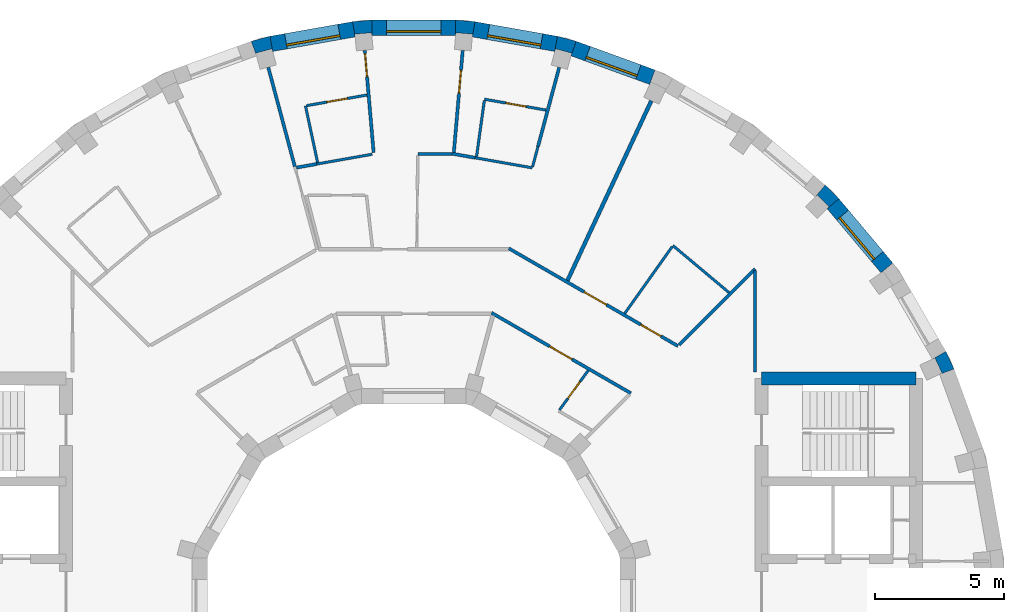
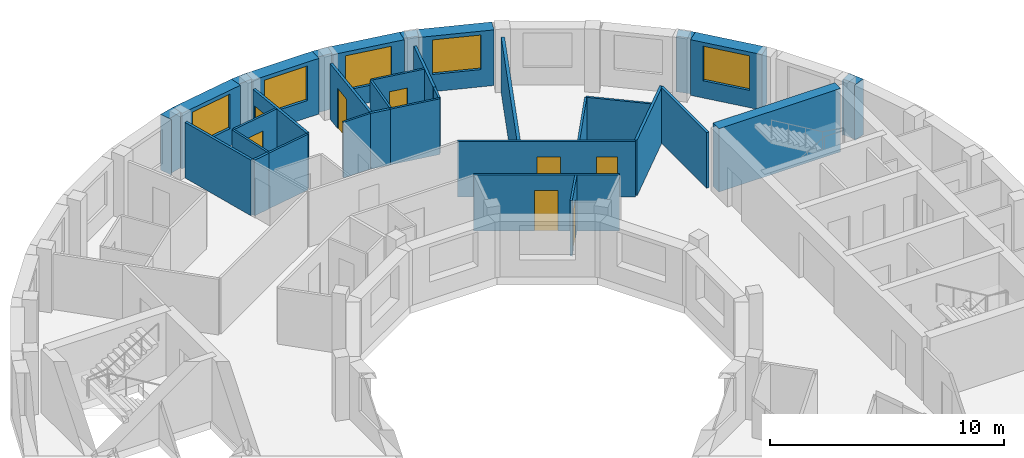
# One storey, part 10 of 12: 34 walls, 8 doors, 5 windows, 13 openings.
"""IFC4 building model written with IfcOpenShell, lengths in metres."""

from ifc_helpers import new_model, si_unit, direction, frame, frame_2d, origin, place, context, subcontext, project, spatial, polyline, rectangle, outline, extrude, material, layer, layer_set, type_object, element, fill, save


model = new_model("IFC4")

# Units and contexts
model_context = context("Model", 3, precision=1e-05, world=origin(), true_north=direction((0.0, 1.0)))
body_context = subcontext(model_context, "Body", "Model", "MODEL_VIEW")
ifc_project = project(units=[si_unit("LENGTHUNIT", "METRE"), si_unit("AREAUNIT", "SQUARE_METRE"), si_unit("VOLUMEUNIT", "CUBIC_METRE"), si_unit("PLANEANGLEUNIT", "RADIAN"), si_unit("MASSUNIT", "GRAM", prefix="KILO")], contexts=[model_context])

# Site, building, storey
site_placement = place(None, origin())
site = spatial("IfcSite", under=ifc_project, at=site_placement, CompositionType="ELEMENT")
building_placement = place(site_placement, origin())
building = spatial("IfcBuilding", under=site, at=building_placement, Name="Saqina Gate Tower", CompositionType="ELEMENT")
storey_placement = place(building_placement, frame((0.0, 0.0, 272.60009765625)))
storey = spatial("IfcBuildingStorey", under=building, at=storey_placement, Name="L78", CompositionType="ELEMENT", Elevation=272.60009765625)

# Walls
ifc_material_1 = material(Name="Brick masonry (buff)", Category="masonry")
wall_type_1 = type_object("IfcWallType", Name="BRICK PIER COPING BUFF", PredefinedType="SOLIDWALL", material=ifc_material_1)
wall_1_placement = place(storey_placement, origin())
element("IfcWall", 1, at=wall_1_placement, inside=storey, type_object=wall_type_1, Name="Pier cap L78 column 3", PredefinedType="SOLIDWALL", context=body_context, shape_type="SweptSolid", body=[
    extrude(outline(polyline([(20.974609375, 9.3642578125), (20.65576171875, 10.048095703125), (20.135986328125, 9.748291015625), (20.23193359375, 9.79296875), (20.506591796875, 9.203857421875), (20.410888671875, 9.1591796875), (20.974609375, 9.3642578125)])), origin(), (0.0, 0.0, 1.0), 2.89990234375),
])
wall_2_placement = place(storey_placement, origin())
element("IfcWall", 2, at=wall_2_placement, inside=storey, type_object=wall_type_1, Name="Pier cap L78 column 5", PredefinedType="SOLIDWALL", context=body_context, shape_type="SweptSolid", body=[
    extrude(outline(polyline([(15.973388671875, 16.5068359375), (15.587646484375, 16.04736328125), (15.662353515625, 16.1220703125), (16.1220703125, 15.662353515625), (16.04736328125, 15.587646484375), (16.5068359375, 15.973388671875), (15.973388671875, 16.5068359375)])), origin(), (0.0, 0.0, 1.0), 2.89990234375),
])
wall_3_placement = place(storey_placement, origin())
element("IfcWall", 3, at=wall_3_placement, inside=storey, type_object=wall_type_1, Name="Pier cap L78 column 8", PredefinedType="SOLIDWALL", context=body_context, shape_type="SweptSolid", body=[
    extrude(outline(polyline([(5.579833984375, 22.281982421875), (5.4755859375, 21.691162109375), (5.5029296875, 21.793212890625), (6.130859375, 21.625), (6.103515625, 21.52294921875), (6.30859375, 22.0869140625), (5.579833984375, 22.281982421875)])), origin(), (0.0, 0.0, 1.0), 2.89990234375),
])
wall_4_placement = place(storey_placement, origin())
element("IfcWall", 4, at=wall_4_placement, inside=storey, type_object=wall_type_1, Name="Pier cap L78 column 9", PredefinedType="SOLIDWALL", context=body_context, shape_type="SweptSolid", body=[
    extrude(outline(polyline([(2.377685546875, 22.8466796875), (1.625732421875, 22.91259765625), (1.625732421875, 22.3125), (1.635009765625, 22.417724609375), (2.28271484375, 22.361083984375), (2.2734375, 22.255859375), (2.377685546875, 22.8466796875)])), origin(), (0.0, 0.0, 1.0), 2.89990234375),
])
wall_5_placement = place(storey_placement, origin())
element("IfcWall", 5, at=wall_5_placement, inside=storey, type_object=wall_type_1, Name="Pier cap L78 column 10", PredefinedType="SOLIDWALL", context=body_context, shape_type="SweptSolid", body=[
    extrude(outline(polyline([(-1.625732421875, 22.91259765625), (-2.377685546875, 22.8466796875), (-2.2734375, 22.255859375), (-2.28271484375, 22.361083984375), (-1.635009765625, 22.417724609375), (-1.625732421875, 22.3125), (-1.625732421875, 22.91259765625)])), origin(), (0.0, 0.0, 1.0), 2.89990234375),
])
wall_6_placement = place(storey_placement, origin())
element("IfcWall", 6, at=wall_6_placement, inside=storey, type_object=wall_type_1, Name="Pier cap L78 column 11", PredefinedType="SOLIDWALL", context=body_context, shape_type="SweptSolid", body=[
    extrude(outline(polyline([(-6.30859375, 22.0869140625), (-6.103515625, 21.52294921875), (-6.130859375, 21.625), (-5.5029296875, 21.793212890625), (-5.4755859375, 21.691162109375), (-5.579833984375, 22.281982421875), (-6.30859375, 22.0869140625)])), origin(), (0.0, 0.0, 1.0), 2.89990234375),
])

# Wall, opening, window
ifc_material_2 = material(Name="Brick masonry (buff)", Category="masonry")
ifc_layer_1 = layer(ifc_material_2, 0.60009765625)
ifc_layer_set_1 = layer_set([ifc_layer_1], Name="FW-BRICK-BUFF")
wall_type_2 = type_object("IfcWallType", Name="FW-BRICK-BUFF", PredefinedType="SOLIDWALL", material=ifc_layer_set_1)
wall_7_placement = place(storey_placement, frame((18.3671875, 13.28955078125, 0.0), z_axis=(0.0, 0.0, 1.0), x_axis=(-0.64277291405, 0.766056773982, 0.0)))
wall_7 = element("IfcWall", 7, at=wall_7_placement, inside=storey, type_object=wall_type_2, Name="Facade wall L78 facet 4", PredefinedType="SOLIDWALL", context=body_context, shape_type="SweptSolid", body=[
    extrude(rectangle(XDim=3.251708984375, YDim=0.60009765625, at=frame_2d((1.6259765625, 0.0))), origin(), (0.0, 0.0, 1.0), 2.89990234375),
])
opening_1_placement = place(wall_7_placement, frame((0.57568359375, 0.0, 0.89990234375)))
opening_1 = element("IfcOpeningElement", 8, at=opening_1_placement, cuts=wall_7, Name="Opening G23-W02", PredefinedType="OPENING", context=body_context, shape_type="SweptSolid", body=[
    extrude(rectangle(XDim=2.10009765625, YDim=1.800048828125, at=frame_2d((1.050048828125, 0.89990234375))), frame((0.0, 0.31201171875, 0.0), z_axis=(0.0, -1.0, 0.0), x_axis=(1.0, 0.0, 0.0)), (0.0, 0.0, 1.0), 0.6240234375),
])
ifc_material_3 = material(Name="Aluminium glazing", Category="aluminium")
window_type = type_object("IfcWindowType", Name="WN-D", PartitioningType="SINGLE_PANEL", PredefinedType="WINDOW", material=ifc_material_3)
window_1_placement = place(opening_1_placement, origin())
window_1 = element("IfcWindow", 9, at=window_1_placement, inside=storey, type_object=window_type, Name="Window L78 facet 4", OverallHeight=1.800048828125, OverallWidth=2.10009765625, PartitioningType="SINGLE_PANEL", PredefinedType="WINDOW", context=body_context, shape_type="SweptSolid", body=[
    extrude(rectangle(XDim=2.10009765625, YDim=1.800048828125, at=frame_2d((1.050048828125, 0.89990234375))), frame((0.0, 0.179931640625, 0.0), z_axis=(0.0, -1.0, 0.0), x_axis=(1.0, 0.0, 0.0)), (0.0, 0.0, 1.0), 0.06005859375),
])
fill(opening_1, window_1)

wall_8_placement = place(storey_placement, frame((9.26171875, 20.692626953125, 0.0), z_axis=(0.0, 0.0, 1.0), x_axis=(-0.939679383794, 0.342056509473, 0.0)))
wall_8 = element("IfcWall", 10, at=wall_8_placement, inside=storey, type_object=wall_type_2, Name="Facade wall L78 facet 7", PredefinedType="SOLIDWALL", context=body_context, shape_type="SweptSolid", body=[
    extrude(rectangle(XDim=3.251708984375, YDim=0.60009765625, at=frame_2d((1.6259765625, 0.0))), origin(), (0.0, 0.0, 1.0), 2.89990234375),
])
opening_2_placement = place(wall_8_placement, frame((0.57568359375, 0.0, 0.89990234375)))
opening_2 = element("IfcOpeningElement", 11, at=opening_2_placement, cuts=wall_8, Name="Opening G23-W05", PredefinedType="OPENING", context=body_context, shape_type="SweptSolid", body=[
    extrude(rectangle(XDim=2.10009765625, YDim=1.800048828125, at=frame_2d((1.050048828125, 0.89990234375))), frame((0.0, 0.31201171875, 0.0), z_axis=(0.0, -1.0, 0.0), x_axis=(1.0, 0.0, 0.0)), (0.0, 0.0, 1.0), 0.6240234375),
])
window_2_placement = place(opening_2_placement, origin())
window_2 = element("IfcWindow", 12, at=window_2_placement, inside=storey, type_object=window_type, Name="Window L78 facet 7", OverallHeight=1.800048828125, OverallWidth=2.10009765625, PartitioningType="SINGLE_PANEL", PredefinedType="WINDOW", context=body_context, shape_type="SweptSolid", body=[
    extrude(rectangle(XDim=2.10009765625, YDim=1.800048828125, at=frame_2d((1.050048828125, 0.89990234375))), frame((0.0, 0.179931640625, 0.0), z_axis=(0.0, -1.0, 0.0), x_axis=(1.0, 0.0, 0.0)), (0.0, 0.0, 1.0), 0.06005859375),
])
fill(opening_2, window_2)

wall_9_placement = place(storey_placement, frame((5.52783203125, 21.986572265625, 0.0), z_axis=(0.0, 0.0, 1.0), x_axis=(-0.984806225186, 0.173656842178, 0.0)))
wall_9 = element("IfcWall", 13, at=wall_9_placement, inside=storey, type_object=wall_type_2, Name="Facade wall L78 facet 8", PredefinedType="SOLIDWALL", context=body_context, shape_type="SweptSolid", body=[
    extrude(rectangle(XDim=3.251708984375, YDim=0.60009765625, at=frame_2d((1.6259765625, 0.0))), origin(), (0.0, 0.0, 1.0), 2.89990234375),
])
opening_3_placement = place(wall_9_placement, frame((0.57568359375, 0.0, 0.89990234375)))
opening_3 = element("IfcOpeningElement", 14, at=opening_3_placement, cuts=wall_9, Name="Opening G23-W06", PredefinedType="OPENING", context=body_context, shape_type="SweptSolid", body=[
    extrude(rectangle(XDim=2.10009765625, YDim=1.800048828125, at=frame_2d((1.050048828125, 0.89990234375))), frame((0.0, 0.31201171875, 0.0), z_axis=(0.0, -1.0, 0.0), x_axis=(1.0, 0.0, 0.0)), (0.0, 0.0, 1.0), 0.6240234375),
])
window_3_placement = place(opening_3_placement, origin())
window_3 = element("IfcWindow", 15, at=window_3_placement, inside=storey, type_object=window_type, Name="Window L78 facet 8", OverallHeight=1.800048828125, OverallWidth=2.10009765625, PartitioningType="SINGLE_PANEL", PredefinedType="WINDOW", context=body_context, shape_type="SweptSolid", body=[
    extrude(rectangle(XDim=2.10009765625, YDim=1.800048828125, at=frame_2d((1.050048828125, 0.89990234375))), frame((0.0, 0.179931640625, 0.0), z_axis=(0.0, -1.0, 0.0), x_axis=(1.0, 0.0, 0.0)), (0.0, 0.0, 1.0), 0.06005859375),
])
fill(opening_3, window_3)

wall_10_placement = place(storey_placement, frame((1.625732421875, 22.612548828125, 0.0), z_axis=(0.0, 0.0, 1.0), x_axis=(-1.0, 0.0, 0.0)))
wall_10 = element("IfcWall", 16, at=wall_10_placement, inside=storey, type_object=wall_type_2, Name="Facade wall L78 facet 9", PredefinedType="SOLIDWALL", context=body_context, shape_type="SweptSolid", body=[
    extrude(rectangle(XDim=3.25146484375, YDim=0.60009765625, at=frame_2d((1.625732421875, 0.0))), origin(), (0.0, 0.0, 1.0), 2.89990234375),
])
opening_4_placement = place(wall_10_placement, frame((0.57568359375, 0.0, 0.89990234375)))
opening_4 = element("IfcOpeningElement", 17, at=opening_4_placement, cuts=wall_10, Name="Opening G23-W07", PredefinedType="OPENING", context=body_context, shape_type="SweptSolid", body=[
    extrude(rectangle(XDim=2.10009765625, YDim=1.800048828125, at=frame_2d((1.050048828125, 0.89990234375))), frame((0.0, 0.31201171875, 0.0), z_axis=(0.0, -1.0, 0.0), x_axis=(1.0, 0.0, 0.0)), (0.0, 0.0, 1.0), 0.6240234375),
])
window_4_placement = place(opening_4_placement, origin())
window_4 = element("IfcWindow", 18, at=window_4_placement, inside=storey, type_object=window_type, Name="Window L78 facet 9", OverallHeight=1.800048828125, OverallWidth=2.10009765625, PartitioningType="SINGLE_PANEL", PredefinedType="WINDOW", context=body_context, shape_type="SweptSolid", body=[
    extrude(rectangle(XDim=2.10009765625, YDim=1.800048828125, at=frame_2d((1.050048828125, 0.89990234375))), frame((0.0, 0.179931640625, 0.0), z_axis=(0.0, -1.0, 0.0), x_axis=(1.0, 0.0, 0.0)), (0.0, 0.0, 1.0), 0.06005859375),
])
fill(opening_4, window_4)

wall_11_placement = place(storey_placement, frame((-2.325439453125, 22.55126953125, 0.0), z_axis=(0.0, 0.0, 1.0), x_axis=(-0.984806225186, -0.173656842178, 0.0)))
wall_11 = element("IfcWall", 19, at=wall_11_placement, inside=storey, type_object=wall_type_2, Name="Facade wall L78 facet 10", PredefinedType="SOLIDWALL", context=body_context, shape_type="SweptSolid", body=[
    extrude(rectangle(XDim=3.251708984375, YDim=0.60009765625, at=frame_2d((1.6259765625, 0.0))), origin(), (0.0, 0.0, 1.0), 2.89990234375),
])
opening_5_placement = place(wall_11_placement, frame((0.57568359375, 0.0, 0.89990234375)))
opening_5 = element("IfcOpeningElement", 20, at=opening_5_placement, cuts=wall_11, Name="Opening G23-W08", PredefinedType="OPENING", context=body_context, shape_type="SweptSolid", body=[
    extrude(rectangle(XDim=2.10009765625, YDim=1.800048828125, at=frame_2d((1.050048828125, 0.89990234375))), frame((0.0, 0.31201171875, 0.0), z_axis=(0.0, -1.0, 0.0), x_axis=(1.0, 0.0, 0.0)), (0.0, 0.0, 1.0), 0.6240234375),
])
window_5_placement = place(opening_5_placement, origin())
window_5 = element("IfcWindow", 21, at=window_5_placement, inside=storey, type_object=window_type, Name="Window L78 facet 10", OverallHeight=1.800048828125, OverallWidth=2.10009765625, PartitioningType="SINGLE_PANEL", PredefinedType="WINDOW", context=body_context, shape_type="SweptSolid", body=[
    extrude(rectangle(XDim=2.10009765625, YDim=1.800048828125, at=frame_2d((1.050048828125, 0.89990234375))), frame((0.0, 0.179931640625, 0.0), z_axis=(0.0, -1.0, 0.0), x_axis=(1.0, 0.0, 0.0)), (0.0, 0.0, 1.0), 0.06005859375),
])
fill(opening_5, window_5)

# Walls
ifc_material_4 = material(Name="Gypsum board on steel studs, 100 mm", Category="steel")
ifc_layer_2 = layer(ifc_material_4, 0.10009765625)
ifc_layer_set_2 = layer_set([ifc_layer_2], Name="PARTITION 100")
wall_type_3 = type_object("IfcWallType", Name="PARTITION 100", PredefinedType="PARTITIONING", material=ifc_layer_set_2)
wall_12_placement = place(storey_placement, frame((-4.202880859375, 19.580078125, 0.0), z_axis=(0.0, 0.0, 1.0), x_axis=(0.209840128727, -0.977735710904, 0.0)))
element("IfcWall", 22, at=wall_12_placement, inside=storey, type_object=wall_type_3, Name="PARTITION PW3-04", PredefinedType="PARTITIONING", context=body_context, shape_type="SweptSolid", body=[
    extrude(rectangle(XDim=2.251220703125, YDim=0.10009765625, at=frame_2d((1.12548828125, 0.0))), origin(), (0.0, 0.0, 1.0), 2.89990234375),
])
wall_13_placement = place(storey_placement, frame((10.06298828125, 14.156005859375, 0.0), z_axis=(0.0, 0.0, 1.0), x_axis=(0.766190179172, -0.642613888225, 0.0)))
element("IfcWall", 23, at=wall_13_placement, inside=storey, type_object=wall_type_3, Name="PARTITION PW3-17", PredefinedType="PARTITIONING", context=body_context, shape_type="SweptSolid", body=[
    extrude(rectangle(XDim=2.843017578125, YDim=0.10009765625, at=frame_2d((1.42138671875, 0.0))), origin(), (0.0, 0.0, 1.0), 2.89990234375),
])
wall_14_placement = place(storey_placement, frame((2.3818359375, 17.565673828125, 0.0), z_axis=(0.0, 0.0, 1.0), x_axis=(0.984785740028, -0.173772973268, 0.0)))
element("IfcWall", 24, at=wall_14_placement, inside=storey, type_object=wall_type_3, Name="PARTITION PW3-23", PredefinedType="PARTITIONING", context=body_context, shape_type="SweptSolid", body=[
    extrude(rectangle(XDim=2.25341796875, YDim=0.10009765625, at=frame_2d((1.126708984375, 0.0))), origin(), (0.0, 0.0, 1.0), 2.89990234375),
])

# Wall, opening, door
wall_15_placement = place(storey_placement, frame((2.7470703125, 19.8369140625, 0.0), z_axis=(0.0, 0.0, 1.0), x_axis=(0.984763301444, -0.17390008663, 0.0)))
wall_15 = element("IfcWall", 25, at=wall_15_placement, inside=storey, type_object=wall_type_3, Name="PARTITION PW3-24", PredefinedType="PARTITIONING", context=body_context, shape_type="SweptSolid", body=[
    extrude(rectangle(XDim=2.42724609375, YDim=0.10009765625, at=frame_2d((1.213623046875, 0.0))), origin(), (0.0, 0.0, 1.0), 2.89990234375),
])
opening_6_placement = place(wall_15_placement, frame((0.844970703125, 0.0, 0.0)))
opening_6 = element("IfcOpeningElement", 26, at=opening_6_placement, cuts=wall_15, Name="Opening G23-D05", PredefinedType="OPENING", context=body_context, shape_type="SweptSolid", body=[
    extrude(rectangle(XDim=0.800048828125, YDim=2.10009765625, at=frame_2d((0.39990234375, 1.050048828125))), frame((0.0, 0.06201171875, 0.0), z_axis=(0.0, -1.0, 0.0), x_axis=(1.0, 0.0, 0.0)), (0.0, 0.0, 1.0), 0.1240234375),
])
ifc_material_5 = material(Name="Timber door leaf, 800 mm", Category="wood")
door_type_1 = type_object("IfcDoorType", Name="DOOR 800 TIMBER", OperationType="SINGLE_SWING_LEFT", PredefinedType="DOOR", material=ifc_material_5)
door_1_placement = place(opening_6_placement, origin())
door_1 = element("IfcDoor", 27, at=door_1_placement, inside=storey, type_object=door_type_1, Name="DOOR G23-D05", OperationType="SINGLE_SWING_RIGHT", OverallHeight=2.10009765625, OverallWidth=0.800048828125, PredefinedType="DOOR", context=body_context, shape_type="SweptSolid", body=[
    extrude(rectangle(XDim=0.800048828125, YDim=2.10009765625, at=frame_2d((0.39990234375, 1.050048828125))), frame((0.0, 0.02490234375, 0.0), z_axis=(0.0, -1.0, 0.0), x_axis=(1.0, 0.0, 0.0)), (0.0, 0.0, 1.0), 0.050048828125),
])
fill(opening_6, door_1)

# Walls
wall_16_placement = place(storey_placement, frame((0.156982421875, 17.7119140625, 0.0), z_axis=(0.0, 0.0, 1.0), x_axis=(1.0, 0.0, 0.0)))
element("IfcWall", 28, at=wall_16_placement, inside=storey, type_object=wall_type_3, Name="PARTITION PW3-28", PredefinedType="PARTITIONING", context=body_context, shape_type="SweptSolid", body=[
    extrude(rectangle(XDim=1.32958984375, YDim=0.10009765625, at=frame_2d((0.664794921875, 0.0))), origin(), (0.0, 0.0, 1.0), 2.89990234375),
])
wall_17_placement = place(storey_placement, frame((-3.76904296875, 17.32080078125, 0.0), z_axis=(0.0, 0.0, 1.0), x_axis=(0.984849681909, 0.173410218971, 0.0)))
element("IfcWall", 29, at=wall_17_placement, inside=storey, type_object=wall_type_3, Name="PARTITION PW3-31", PredefinedType="PARTITIONING", context=body_context, shape_type="SweptSolid", body=[
    extrude(rectangle(XDim=2.190673828125, YDim=0.10009765625, at=frame_2d((1.09521484375, 0.0))), origin(), (0.0, 0.0, 1.0), 2.89990234375),
])

# Wall, opening, door
wall_18_placement = place(storey_placement, frame((-4.15380859375, 19.588623046875, 0.0), z_axis=(0.0, 0.0, 1.0), x_axis=(0.984824883782, 0.173550996204, 0.0)))
wall_18 = element("IfcWall", 30, at=wall_18_placement, inside=storey, type_object=wall_type_3, Name="PARTITION PW3-32", PredefinedType="PARTITIONING", context=body_context, shape_type="SweptSolid", body=[
    extrude(rectangle(XDim=2.37744140625, YDim=0.10009765625, at=frame_2d((1.188720703125, 0.0))), origin(), (0.0, 0.0, 1.0), 2.89990234375),
])
opening_7_placement = place(wall_18_placement, frame((0.794921875, 0.0, 0.0)))
opening_7 = element("IfcOpeningElement", 31, at=opening_7_placement, cuts=wall_18, Name="Opening G23-D13", PredefinedType="OPENING", context=body_context, shape_type="SweptSolid", body=[
    extrude(rectangle(XDim=0.800048828125, YDim=2.10009765625, at=frame_2d((0.39990234375, 1.050048828125))), frame((0.0, 0.06201171875, 0.0), z_axis=(0.0, -1.0, 0.0), x_axis=(1.0, 0.0, 0.0)), (0.0, 0.0, 1.0), 0.1240234375),
])
door_2_placement = place(opening_7_placement, origin())
door_2 = element("IfcDoor", 32, at=door_2_placement, inside=storey, type_object=door_type_1, Name="DOOR G23-D13", OperationType="SINGLE_SWING_RIGHT", OverallHeight=2.10009765625, OverallWidth=0.800048828125, PredefinedType="DOOR", context=body_context, shape_type="SweptSolid", body=[
    extrude(rectangle(XDim=0.800048828125, YDim=2.10009765625, at=frame_2d((0.39990234375, 1.050048828125))), frame((0.0, 0.02490234375, 0.0), z_axis=(0.0, -1.0, 0.0), x_axis=(1.0, 0.0, 0.0)), (0.0, 0.0, 1.0), 0.050048828125),
])
fill(opening_7, door_2)

wall_19_placement = place(storey_placement, frame((5.655517578125, 7.7734375, 0.0), z_axis=(0.0, 0.0, 1.0), x_axis=(0.588645610209, 0.808391208254, 0.0)))
wall_19 = element("IfcWall", 33, at=wall_19_placement, inside=storey, type_object=wall_type_3, Name="PARTITION PW3-41", PredefinedType="PARTITIONING", context=body_context, shape_type="SweptSolid", body=[
    extrude(rectangle(XDim=1.898681640625, YDim=0.10009765625, at=frame_2d((0.94921875, 0.0))), origin(), (0.0, 0.0, 1.0), 2.89990234375),
])
opening_8_placement = place(wall_19_placement, frame((0.5556640625, 0.0, 0.0)))
opening_8 = element("IfcOpeningElement", 34, at=opening_8_placement, cuts=wall_19, Name="Opening G23-D02", PredefinedType="OPENING", context=body_context, shape_type="SweptSolid", body=[
    extrude(rectangle(XDim=0.800048828125, YDim=2.10009765625, at=frame_2d((0.39990234375, 1.050048828125))), frame((0.0, 0.06201171875, 0.0), z_axis=(0.0, -1.0, 0.0), x_axis=(1.0, 0.0, 0.0)), (0.0, 0.0, 1.0), 0.1240234375),
])
door_3_placement = place(opening_8_placement, origin())
door_3 = element("IfcDoor", 35, at=door_3_placement, inside=storey, type_object=door_type_1, Name="DOOR G23-D02", OperationType="SINGLE_SWING_RIGHT", OverallHeight=2.10009765625, OverallWidth=0.800048828125, PredefinedType="DOOR", context=body_context, shape_type="SweptSolid", body=[
    extrude(rectangle(XDim=0.800048828125, YDim=2.10009765625, at=frame_2d((0.39990234375, 1.050048828125))), frame((0.0, 0.02490234375, 0.0), z_axis=(0.0, -1.0, 0.0), x_axis=(1.0, 0.0, 0.0)), (0.0, 0.0, 1.0), 0.050048828125),
])
fill(opening_8, door_3)

# Walls
wall_20_placement = place(storey_placement, frame((8.190185546875, 11.52099609375, 0.0), z_axis=(0.0, 0.0, 1.0), x_axis=(0.579306394217, 0.815109870888, 0.0)))
element("IfcWall", 36, at=wall_20_placement, inside=storey, type_object=wall_type_3, Name="PARTITION PW3-43", PredefinedType="PARTITIONING", context=body_context, shape_type="SweptSolid", body=[
    extrude(rectangle(XDim=3.1826171875, YDim=0.10009765625, at=frame_2d((1.59130859375, 0.0))), origin(), (0.0, 0.0, 1.0), 2.89990234375),
])
wall_21_placement = place(storey_placement, frame((4.614990234375, 17.222412109375, 0.0), z_axis=(0.0, 0.0, 1.0), x_axis=(0.258549220772, 0.965998085111, 0.0)))
element("IfcWall", 37, at=wall_21_placement, inside=storey, type_object=wall_type_3, Name="PARTITION PW3-49", PredefinedType="PARTITIONING", context=body_context, shape_type="SweptSolid", body=[
    extrude(rectangle(XDim=0.805419921875, YDim=0.10009765625, at=frame_2d((0.40283203125, 0.0))), origin(), (0.0, 0.0, 1.0), 2.89990234375),
])
wall_22_placement = place(storey_placement, frame((2.439697265625, 17.618896484375, 0.0), z_axis=(0.0, 0.0, 1.0), x_axis=(0.137282681999, 0.99053191025, 0.0)))
element("IfcWall", 38, at=wall_22_placement, inside=storey, type_object=wall_type_3, Name="PARTITION PW3-50", PredefinedType="PARTITIONING", context=body_context, shape_type="SweptSolid", body=[
    extrude(rectangle(XDim=2.189208984375, YDim=0.10009765625, at=frame_2d((1.0947265625, 0.0))), origin(), (0.0, 0.0, 1.0), 2.89990234375),
])

# Wall, opening, door
ifc_material_6 = material(Name="Gypsum board on steel studs, 125 mm, fire rated", Category="steel")
ifc_layer_3 = layer(ifc_material_6, 0.125)
ifc_layer_set_3 = layer_set([ifc_layer_3], Name="PARTITION EI 30 125")
wall_type_4 = type_object("IfcWallType", Name="PARTITION EI 30 125", PredefinedType="PARTITIONING", material=ifc_layer_set_3)
wall_23_placement = place(storey_placement, frame((-1.901611328125, 21.73193359375, 0.0), z_axis=(0.0, 0.0, 1.0), x_axis=(0.086666644389, -0.996237367674, 0.0)))
wall_23 = element("IfcWall", 39, at=wall_23_placement, inside=storey, type_object=wall_type_4, Name="PARTITION PW1-01", PredefinedType="PARTITIONING", context=body_context, shape_type="SweptSolid", body=[
    extrude(rectangle(XDim=3.983154296875, YDim=0.125, at=frame_2d((1.99169921875, 0.0))), origin(), (0.0, 0.0, 1.0), 2.89990234375),
])
opening_9_placement = place(wall_23_placement, frame((0.122314453125, 0.0, 0.0)))
opening_9 = element("IfcOpeningElement", 40, at=opening_9_placement, cuts=wall_23, Name="Opening G23-D11", PredefinedType="OPENING", context=body_context, shape_type="SweptSolid", body=[
    extrude(rectangle(XDim=0.89990234375, YDim=2.10009765625, at=frame_2d((0.449951171875, 1.050048828125))), frame((0.0, 0.074462890625, 0.0), z_axis=(0.0, -1.0, 0.0), x_axis=(1.0, 0.0, 0.0)), (0.0, 0.0, 1.0), 0.14892578125),
])
ifc_material_7 = material(Name="Fire door leaf EI 30, 900 mm")
door_type_2 = type_object("IfcDoorType", Name="DOOR 900 EI 30", OperationType="SINGLE_SWING_LEFT", PredefinedType="DOOR", material=ifc_material_7)
door_4_placement = place(opening_9_placement, origin())
door_4 = element("IfcDoor", 41, at=door_4_placement, inside=storey, type_object=door_type_2, Name="DOOR G23-D11", OperationType="SINGLE_SWING_LEFT", OverallHeight=2.10009765625, OverallWidth=0.89990234375, PredefinedType="DOOR", context=body_context, shape_type="SweptSolid", body=[
    extrude(rectangle(XDim=0.89990234375, YDim=2.10009765625, at=frame_2d((0.449951171875, 1.050048828125))), frame((0.0, 0.02490234375, 0.0), z_axis=(0.0, -1.0, 0.0), x_axis=(1.0, 0.0, 0.0)), (0.0, 0.0, 1.0), 0.050048828125),
])
fill(opening_9, door_4)

# Wall
wall_24_placement = place(storey_placement, frame((-5.64599609375, 21.07177734375, 0.0), z_axis=(0.0, 0.0, 1.0), x_axis=(0.258718732156, -0.965952699479, 0.0)))
element("IfcWall", 42, at=wall_24_placement, inside=storey, type_object=wall_type_4, Name="PARTITION PW1-04", PredefinedType="PARTITIONING", context=body_context, shape_type="SweptSolid", body=[
    extrude(rectangle(XDim=3.985107421875, YDim=0.125, at=frame_2d((1.99267578125, 0.0))), origin(), (0.0, 0.0, 1.0), 2.89990234375),
])

# Wall, opening, door
wall_25_placement = place(storey_placement, frame((3.021484375, 11.546142578125, 0.0), z_axis=(0.0, 0.0, 1.0), x_axis=(0.866039004929, -0.499976441387, 0.0)))
wall_25 = element("IfcWall", 43, at=wall_25_placement, inside=storey, type_object=wall_type_4, Name="PARTITION PW1-15", PredefinedType="PARTITIONING", context=body_context, shape_type="SweptSolid", body=[
    extrude(rectangle(XDim=6.240478515625, YDim=0.125, at=frame_2d((3.1201171875, 0.0))), origin(), (0.0, 0.0, 1.0), 2.89990234375),
])
opening_10_placement = place(wall_25_placement, frame((2.606201171875, 0.0, 0.0)))
opening_10 = element("IfcOpeningElement", 44, at=opening_10_placement, cuts=wall_25, Name="Opening G23-D04", PredefinedType="OPENING", context=body_context, shape_type="SweptSolid", body=[
    extrude(rectangle(XDim=1.0, YDim=2.10009765625, at=frame_2d((0.5, 1.050048828125))), frame((0.0, 0.074462890625, 0.0), z_axis=(0.0, -1.0, 0.0), x_axis=(1.0, 0.0, 0.0)), (0.0, 0.0, 1.0), 0.14892578125),
])
ifc_material_8 = material(Name="Fire door leaf EI 30, 1000 mm")
door_type_3 = type_object("IfcDoorType", Name="DOOR 1000 EI 30", OperationType="SINGLE_SWING_LEFT", PredefinedType="DOOR", material=ifc_material_8)
door_5_placement = place(opening_10_placement, frame((1.0, 0.0, 0.0), z_axis=(0.0, 0.0, 1.0), x_axis=(-1.0, 0.0, 0.0)))
door_5 = element("IfcDoor", 45, at=door_5_placement, inside=storey, type_object=door_type_3, Name="DOOR G23-D04", OperationType="SINGLE_SWING_RIGHT", OverallHeight=2.10009765625, OverallWidth=1.0, PredefinedType="DOOR", context=body_context, shape_type="SweptSolid", body=[
    extrude(rectangle(XDim=1.0, YDim=2.10009765625, at=frame_2d((0.5, 1.050048828125))), frame((0.0, 0.02490234375, 0.0), z_axis=(0.0, -1.0, 0.0), x_axis=(1.0, 0.0, 0.0)), (0.0, 0.0, 1.0), 0.050048828125),
])
fill(opening_10, door_5)

# Wall, openings, doors
wall_26_placement = place(storey_placement, frame((3.6904296875, 14.046630859375, 0.0), z_axis=(0.0, 0.0, 1.0), x_axis=(0.86603489676, -0.499983557323, 0.0)))
wall_26 = element("IfcWall", 46, at=wall_26_placement, inside=storey, type_object=wall_type_4, Name="PARTITION PW1-16", PredefinedType="PARTITIONING", context=body_context, shape_type="SweptSolid", body=[
    extrude(rectangle(XDim=7.581298828125, YDim=0.125, at=frame_2d((3.79052734375, 0.0))), origin(), (0.0, 0.0, 1.0), 2.89990234375),
])
opening_11_placement = place(wall_26_placement, frame((5.91748046875, 0.0, 0.0)))
opening_11 = element("IfcOpeningElement", 47, at=opening_11_placement, cuts=wall_26, Name="Opening G23-D01", PredefinedType="OPENING", context=body_context, shape_type="SweptSolid", body=[
    extrude(rectangle(XDim=0.89990234375, YDim=2.10009765625, at=frame_2d((0.449951171875, 1.050048828125))), frame((0.0, 0.074462890625, 0.0), z_axis=(0.0, -1.0, 0.0), x_axis=(1.0, 0.0, 0.0)), (0.0, 0.0, 1.0), 0.14892578125),
])
opening_12_placement = place(wall_26_placement, frame((3.37744140625, 0.0, 0.0)))
opening_12 = element("IfcOpeningElement", 48, at=opening_12_placement, cuts=wall_26, Name="Opening G23-D03", PredefinedType="OPENING", context=body_context, shape_type="SweptSolid", body=[
    extrude(rectangle(XDim=1.0, YDim=2.10009765625, at=frame_2d((0.5, 1.050048828125))), frame((0.0, 0.074462890625, 0.0), z_axis=(0.0, -1.0, 0.0), x_axis=(1.0, 0.0, 0.0)), (0.0, 0.0, 1.0), 0.14892578125),
])
door_6_placement = place(opening_12_placement, frame((1.0, 0.0, 0.0), z_axis=(0.0, 0.0, 1.0), x_axis=(-1.0, 0.0, 0.0)))
door_6 = element("IfcDoor", 49, at=door_6_placement, inside=storey, type_object=door_type_3, Name="DOOR G23-D03", OperationType="SINGLE_SWING_LEFT", OverallHeight=2.10009765625, OverallWidth=1.0, PredefinedType="DOOR", context=body_context, shape_type="SweptSolid", body=[
    extrude(rectangle(XDim=1.0, YDim=2.10009765625, at=frame_2d((0.5, 1.050048828125))), frame((0.0, 0.02490234375, 0.0), z_axis=(0.0, -1.0, 0.0), x_axis=(1.0, 0.0, 0.0)), (0.0, 0.0, 1.0), 0.050048828125),
])
fill(opening_12, door_6)
door_7_placement = place(opening_11_placement, origin())
door_7 = element("IfcDoor", 50, at=door_7_placement, inside=storey, type_object=door_type_2, Name="DOOR G23-D01", OperationType="SINGLE_SWING_RIGHT", OverallHeight=2.10009765625, OverallWidth=0.89990234375, PredefinedType="DOOR", context=body_context, shape_type="SweptSolid", body=[
    extrude(rectangle(XDim=0.89990234375, YDim=2.10009765625, at=frame_2d((0.449951171875, 1.050048828125))), frame((0.0, 0.02490234375, 0.0), z_axis=(0.0, -1.0, 0.0), x_axis=(1.0, 0.0, 0.0)), (0.0, 0.0, 1.0), 0.050048828125),
])
fill(opening_11, door_7)

# Walls
wall_27_placement = place(storey_placement, frame((1.486572265625, 17.72314453125, 0.0), z_axis=(0.0, 0.0, 1.0), x_axis=(0.984880741856, -0.173233727433, 0.0)))
element("IfcWall", 51, at=wall_27_placement, inside=storey, type_object=wall_type_4, Name="PARTITION PW1-17", PredefinedType="PARTITIONING", context=body_context, shape_type="SweptSolid", body=[
    extrude(rectangle(XDim=0.908935546875, YDim=0.125, at=frame_2d((0.45458984375, 0.0))), origin(), (0.0, 0.0, 1.0), 2.89990234375),
])
wall_28_placement = place(storey_placement, frame((-4.5517578125, 17.182861328125, 0.0), z_axis=(0.0, 0.0, 1.0), x_axis=(0.984709236114, 0.174205970944, 0.0)))
element("IfcWall", 52, at=wall_28_placement, inside=storey, type_object=wall_type_4, Name="PARTITION PW1-23", PredefinedType="PARTITIONING", context=body_context, shape_type="SweptSolid", body=[
    extrude(rectangle(XDim=0.794677734375, YDim=0.125, at=frame_2d((0.3974609375, 0.0))), origin(), (0.0, 0.0, 1.0), 2.89990234375),
])
wall_29_placement = place(storey_placement, frame((10.30029296875, 10.30029296875, 0.0), z_axis=(0.0, 0.0, 1.0), x_axis=(0.707106781187, 0.707106781187, 0.0)))
element("IfcWall", 53, at=wall_29_placement, inside=storey, type_object=wall_type_4, Name="PARTITION PW1-35", PredefinedType="PARTITIONING", context=body_context, shape_type="SweptSolid", body=[
    extrude(rectangle(XDim=4.171630859375, YDim=0.125, at=frame_2d((2.0859375, 0.0))), origin(), (0.0, 0.0, 1.0), 2.89990234375),
])
wall_30_placement = place(storey_placement, frame((4.8232421875, 18.00048828125, 0.0), z_axis=(0.0, 0.0, 1.0), x_axis=(0.258924151325, 0.965897657032, 0.0)))
element("IfcWall", 54, at=wall_30_placement, inside=storey, type_object=wall_type_4, Name="PARTITION PW1-37", PredefinedType="PARTITIONING", context=body_context, shape_type="SweptSolid", body=[
    extrude(rectangle(XDim=3.179443359375, YDim=0.125, at=frame_2d((1.58984375, 0.0))), origin(), (0.0, 0.0, 1.0), 2.89990234375),
])

# Wall, opening, door
wall_31_placement = place(storey_placement, frame((1.557373046875, 17.774169921875, 0.0), z_axis=(0.0, 0.0, 1.0), x_axis=(0.086650831404, 0.996238743182, 0.0)))
wall_31 = element("IfcWall", 55, at=wall_31_placement, inside=storey, type_object=wall_type_4, Name="PARTITION PW1-38", PredefinedType="PARTITIONING", context=body_context, shape_type="SweptSolid", body=[
    extrude(rectangle(XDim=3.97265625, YDim=0.125, at=frame_2d((1.986328125, 0.0))), origin(), (0.0, 0.0, 1.0), 2.89990234375),
])
opening_13_placement = place(wall_31_placement, frame((2.296875, 0.0, 0.0)))
opening_13 = element("IfcOpeningElement", 56, at=opening_13_placement, cuts=wall_31, Name="Opening G23-D06", PredefinedType="OPENING", context=body_context, shape_type="SweptSolid", body=[
    extrude(rectangle(XDim=0.89990234375, YDim=2.10009765625, at=frame_2d((0.449951171875, 1.050048828125))), frame((0.0, 0.074462890625, 0.0), z_axis=(0.0, -1.0, 0.0), x_axis=(1.0, 0.0, 0.0)), (0.0, 0.0, 1.0), 0.14892578125),
])
door_8_placement = place(opening_13_placement, origin())
door_8 = element("IfcDoor", 57, at=door_8_placement, inside=storey, type_object=door_type_2, Name="DOOR G23-D06", OperationType="SINGLE_SWING_RIGHT", OverallHeight=2.10009765625, OverallWidth=0.89990234375, PredefinedType="DOOR", context=body_context, shape_type="SweptSolid", body=[
    extrude(rectangle(XDim=0.89990234375, YDim=2.10009765625, at=frame_2d((0.449951171875, 1.050048828125))), frame((0.0, 0.02490234375, 0.0), z_axis=(0.0, -1.0, 0.0), x_axis=(1.0, 0.0, 0.0)), (0.0, 0.0, 1.0), 0.050048828125),
])
fill(opening_13, door_8)

# Walls
wall_32_placement = place(storey_placement, frame((13.25, 9.25, 0.0), z_axis=(0.0, 0.0, 1.0), x_axis=(0.0, 1.0, 0.0)))
element("IfcWall", 58, at=wall_32_placement, inside=storey, type_object=wall_type_4, Name="PARTITION PW1-40", PredefinedType="PARTITIONING", context=body_context, shape_type="SweptSolid", body=[
    extrude(rectangle(XDim=3.9375, YDim=0.125, at=frame_2d((1.96875, 0.0))), origin(), (0.0, 0.0, 1.0), 2.89990234375),
])
ifc_material_9 = material(Name="Gypsum board on steel studs, 150 mm, fire rated", Category="steel")
ifc_layer_4 = layer(ifc_material_9, 0.14990234375)
ifc_layer_set_4 = layer_set([ifc_layer_4], Name="PARTITION EI 60 150")
wall_type_5 = type_object("IfcWallType", Name="PARTITION EI 60 150", PredefinedType="PARTITIONING", material=ifc_layer_set_4)
wall_33_placement = place(storey_placement, frame((5.97021484375, 12.802490234375, 0.0), z_axis=(0.0, 0.0, 1.0), x_axis=(0.422558644833, 0.90633558447, 0.0)))
element("IfcWall", 59, at=wall_33_placement, inside=storey, type_object=wall_type_5, Name="PARTITION PW2-03", PredefinedType="PARTITIONING", context=body_context, shape_type="SweptSolid", body=[
    extrude(rectangle(XDim=7.68896484375, YDim=0.14990234375, at=frame_2d((3.844482421875, 0.0))), origin(), (0.0, 0.0, 1.0), 2.89990234375),
])
ifc_material_10 = material(Name="Concrete C60/75", Category="concrete")
ifc_layer_5 = layer(ifc_material_10, 0.5)
ifc_layer_set_5 = layer_set([ifc_layer_5], Name="Concrete C60/75")
wall_type_6 = type_object("IfcWallType", Name="STR-CORE WALL-D-O", PredefinedType="SHEAR", material=ifc_layer_set_5)
wall_34_placement = place(storey_placement, frame((13.5, 9.0, 0.0), z_axis=(0.0, 0.0, 1.0), x_axis=(1.0, 0.0, 0.0)))
element("IfcWall", 60, at=wall_34_placement, inside=storey, type_object=wall_type_6, Name="CORE WALL L78 E-NE", PredefinedType="SHEAR", context=body_context, shape_type="SweptSolid", body=[
    extrude(rectangle(XDim=6.0, YDim=0.5, at=frame_2d((3.0, 0.0))), origin(), (0.0, 0.0, 1.0), 3.2998046875),
])

save(model, "model.ifc")
